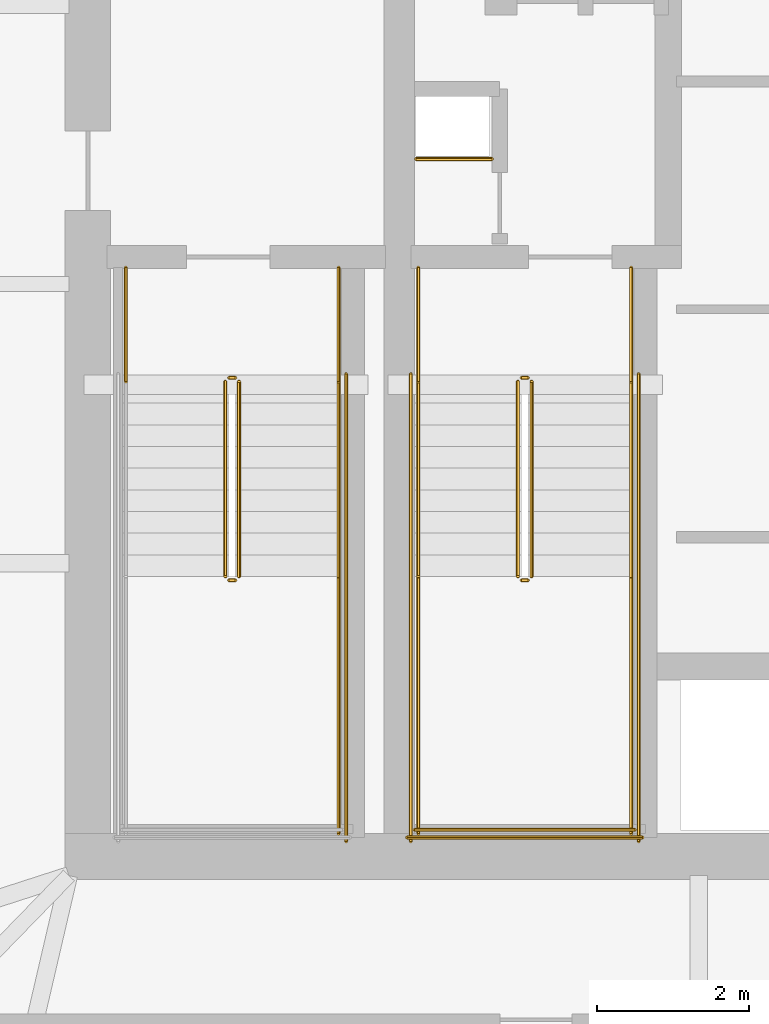
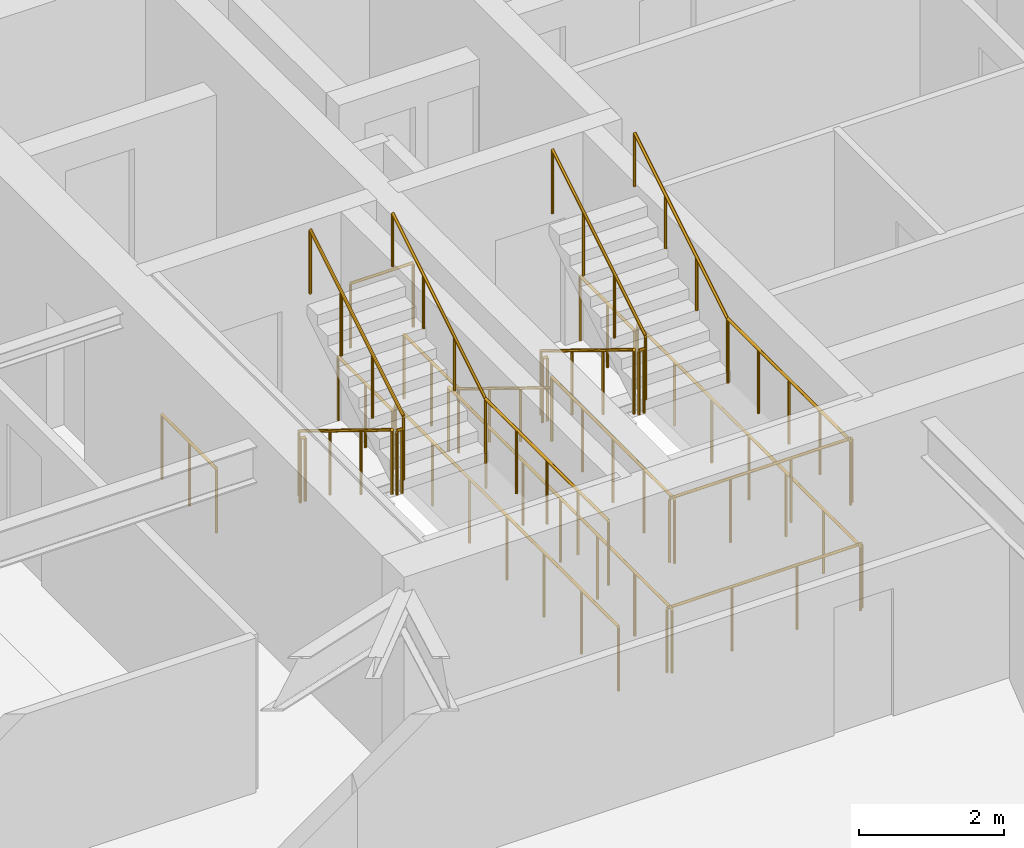
# One storey, part 17 of 19: 24 railings.
"""IFC4 building model written with IfcOpenShell, lengths in metres."""

from ifc_helpers import new_model, si_unit, direction, frame, origin, origin_2d, place, context, subcontext, project, spatial, circle, extrude, material, type_object, element, save


model = new_model("IFC4")

# Units and contexts
model_context = context("Model", 3, precision=1e-05, world=origin(), true_north=direction((0.0, 1.0)))
body_context = subcontext(model_context, "Body", "Model", "MODEL_VIEW")
ifc_project = project(units=[si_unit("LENGTHUNIT", "METRE"), si_unit("AREAUNIT", "SQUARE_METRE"), si_unit("VOLUMEUNIT", "CUBIC_METRE"), si_unit("PLANEANGLEUNIT", "RADIAN"), si_unit("MASSUNIT", "GRAM", prefix="KILO")], contexts=[model_context])

# Site, building, storey
site_placement = place(None, origin())
site = spatial("IfcSite", under=ifc_project, at=site_placement, CompositionType="ELEMENT")
building_placement = place(site_placement, origin())
building = spatial("IfcBuilding", under=site, at=building_placement, Name="Bramvorn Convention Spire", CompositionType="ELEMENT")
storey_placement = place(building_placement, frame((0.0, 0.0, 62.39990234375)))
storey = spatial("IfcBuildingStorey", under=building, at=storey_placement, Name="L13", CompositionType="ELEMENT", Elevation=62.39990234375)

# Railings
ifc_material_1 = material(Name="Painted Steel Balustrade & Guardrail", Category="steel")
railing_type_1 = type_object("IfcRailingType", Name="RL-STAIR-GUARD-1100", PredefinedType="GUARDRAIL", material=ifc_material_1)
railing_1_placement = place(storey_placement, frame((28.81005859375, 25.050048828125, 0.175048828125)))
element("IfcRailing", 1, at=railing_1_placement, inside=storey, type_object=railing_type_1, Name="L13 ST1 stair guard 1", PredefinedType="GUARDRAIL", context=body_context, shape_type="SweptSolid", body=[
    extrude(circle(Radius=0.02392578125, at=origin_2d()), frame((0.0, 0.0, 1.076171875), z_axis=(0.0, -0.852173129349, 0.523259933127), x_axis=(1.0, 0.0, 0.0)), (0.0, 0.0, 1.0), 3.009765625),
    extrude(circle(Radius=0.02099609375, at=origin_2d()), origin(), (0.0, 0.0, 1.0), 1.052001953125),
    extrude(circle(Radius=0.02099609375, at=origin_2d()), frame((0.0, -0.85498046875, 0.52490234375)), (0.0, 0.0, 1.0), 1.052001953125),
    extrude(circle(Radius=0.02099609375, at=origin_2d()), frame((0.0, -1.7099609375, 1.050048828125)), (0.0, 0.0, 1.0), 1.052001953125),
    extrude(circle(Radius=0.02099609375, at=origin_2d()), frame((0.0, -2.56494140625, 1.574951171875)), (0.0, 0.0, 1.0), 1.052001953125),
])
railing_2_placement = place(storey_placement, frame((28.860107421875, 22.43505859375, 1.75)))
element("IfcRailing", 2, at=railing_2_placement, inside=storey, type_object=railing_type_1, Name="L13 ST1 stair guard 2", PredefinedType="GUARDRAIL", context=body_context, shape_type="SweptSolid", body=[
    extrude(circle(Radius=0.02392578125, at=origin_2d()), frame((0.0, 0.0, 1.076171875), z_axis=(1.0, 0.0, 0.0), x_axis=(0.0, 1.0, 0.0)), (0.0, 0.0, 1.0), 0.079833984375),
    extrude(circle(Radius=0.02099609375, at=origin_2d()), origin(), (0.0, 0.0, 1.0), 1.052001953125),
    extrude(circle(Radius=0.02099609375, at=origin_2d()), frame((0.079833984375, 0.0, 0.0)), (0.0, 0.0, 1.0), 1.052001953125),
])
railing_3_placement = place(storey_placement, frame((30.300048828125, 22.485107421875, 1.75)))
element("IfcRailing", 3, at=railing_3_placement, inside=storey, type_object=railing_type_1, Name="L13 ST1 stair guard 4", PredefinedType="GUARDRAIL", context=body_context, shape_type="SweptSolid", body=[
    extrude(circle(Radius=0.02392578125, at=origin_2d()), frame((0.0, 0.0, 1.076171875), z_axis=(0.0, -1.0, 0.0), x_axis=(1.0, 0.0, 0.0)), (0.0, 0.0, 1.0), 3.385009765625),
    extrude(circle(Radius=0.02099609375, at=origin_2d()), origin(), (0.0, 0.0, 1.0), 1.052001953125),
    extrude(circle(Radius=0.02099609375, at=origin_2d()), frame((0.0, -0.84619140625, 0.0)), (0.0, 0.0, 1.0), 1.052001953125),
    extrude(circle(Radius=0.02099609375, at=origin_2d()), frame((0.0, -1.6923828125, 0.0)), (0.0, 0.0, 1.0), 1.052001953125),
    extrude(circle(Radius=0.02099609375, at=origin_2d()), frame((0.0, -2.538818359375, 0.0)), (0.0, 0.0, 1.0), 1.052001953125),
    extrude(circle(Radius=0.02099609375, at=origin_2d()), frame((0.0, -3.385009765625, 0.0)), (0.0, 0.0, 1.0), 1.052001953125),
])
railing_4_placement = place(storey_placement, frame((28.989990234375, 22.485107421875, 1.925048828125)))
element("IfcRailing", 4, at=railing_4_placement, inside=storey, type_object=railing_type_1, Name="L13 ST1 stair guard 6", PredefinedType="GUARDRAIL", context=body_context, shape_type="SweptSolid", body=[
    extrude(circle(Radius=0.02392578125, at=origin_2d()), frame((0.0, 0.0, 1.076171875), z_axis=(0.0, 0.852173129349, 0.523259933127), x_axis=(-1.0, 0.0, 0.0)), (0.0, 0.0, 1.0), 3.009765625),
    extrude(circle(Radius=0.02099609375, at=origin_2d()), origin(), (0.0, 0.0, 1.0), 1.052001953125),
    extrude(circle(Radius=0.02099609375, at=origin_2d()), frame((0.0, 0.85498046875, 0.52490234375)), (0.0, 0.0, 1.0), 1.052001953125),
    extrude(circle(Radius=0.02099609375, at=origin_2d()), frame((0.0, 1.7099609375, 1.050048828125)), (0.0, 0.0, 1.0), 1.052001953125),
    extrude(circle(Radius=0.02099609375, at=origin_2d()), frame((0.0, 2.56494140625, 1.574951171875)), (0.0, 0.0, 1.0), 1.052001953125),
])
railing_5_placement = place(storey_placement, frame((28.860107421875, 25.10009765625, 0.0)))
element("IfcRailing", 5, at=railing_5_placement, inside=storey, type_object=railing_type_1, Name="L13 ST1 stair guard 7", PredefinedType="GUARDRAIL", context=body_context, shape_type="SweptSolid", body=[
    extrude(circle(Radius=0.02392578125, at=origin_2d()), frame((0.0, 0.0, 1.076171875), z_axis=(1.0, 0.0, 0.0), x_axis=(0.0, 1.0, 0.0)), (0.0, 0.0, 1.0), 0.079833984375),
    extrude(circle(Radius=0.02099609375, at=origin_2d()), origin(), (0.0, 0.0, 1.0), 1.052001953125),
    extrude(circle(Radius=0.02099609375, at=origin_2d()), frame((0.079833984375, 0.0, 0.0)), (0.0, 0.0, 1.0), 1.052001953125),
])
for number, where, name in (
    (6, (27.5, 26.550048828125, 0.0), "L13 ST1 stair guard 8"),
    (7, (30.300048828125, 26.550048828125, 0.0), "L13 ST1 stair guard 9"),
):
    element("IfcRailing", number, at=place(storey_placement, frame(where)), inside=storey, type_object=railing_type_1, Name=name, PredefinedType="GUARDRAIL", context=body_context, shape_type="SweptSolid", body=[
        extrude(circle(Radius=0.02392578125, at=origin_2d()), frame((0.0, 0.0, 1.076171875), z_axis=(0.0, -1.0, 0.0), x_axis=(1.0, 0.0, 0.0)), (0.0, 0.0, 1.0), 1.5),
        extrude(circle(Radius=0.02099609375, at=origin_2d()), origin(), (0.0, 0.0, 1.0), 1.052001953125),
        extrude(circle(Radius=0.02099609375, at=origin_2d()), frame((0.0, -0.75, 0.0)), (0.0, 0.0, 1.0), 1.052001953125),
        extrude(circle(Radius=0.02099609375, at=origin_2d()), frame((0.0, -1.5, 0.0)), (0.0, 0.0, 1.0), 1.052001953125),
    ])
railing_6_placement = place(storey_placement, frame((30.39990234375, 25.14990234375, 0.0)))
element("IfcRailing", 8, at=railing_6_placement, inside=storey, type_object=railing_type_1, Name="L13 ST1 stair guard 11", PredefinedType="GUARDRAIL", context=body_context, shape_type="SweptSolid", body=[
    extrude(circle(Radius=0.02392578125, at=origin_2d()), frame((0.0, 0.0, 1.076171875), z_axis=(0.0, -1.0, 0.0), x_axis=(1.0, 0.0, 0.0)), (0.0, 0.0, 1.0), 6.14990234375),
    extrude(circle(Radius=0.02099609375, at=origin_2d()), origin(), (0.0, 0.0, 1.0), 1.052001953125),
    extrude(circle(Radius=0.02099609375, at=origin_2d()), frame((0.0, -1.02490234375, 0.0)), (0.0, 0.0, 1.0), 1.052001953125),
    extrude(circle(Radius=0.02099609375, at=origin_2d()), frame((0.0, -2.050048828125, 0.0)), (0.0, 0.0, 1.0), 1.052001953125),
    extrude(circle(Radius=0.02099609375, at=origin_2d()), frame((0.0, -3.074951171875, 0.0)), (0.0, 0.0, 1.0), 1.052001953125),
    extrude(circle(Radius=0.02099609375, at=origin_2d()), frame((0.0, -4.099853515625, 0.0)), (0.0, 0.0, 1.0), 1.052001953125),
    extrude(circle(Radius=0.02099609375, at=origin_2d()), frame((0.0, -5.125, 0.0)), (0.0, 0.0, 1.0), 1.052001953125),
    extrude(circle(Radius=0.02099609375, at=origin_2d()), frame((0.0, -6.14990234375, 0.0)), (0.0, 0.0, 1.0), 1.052001953125),
])
railing_7_placement = place(storey_placement, frame((32.659912109375, 25.050048828125, 0.175048828125)))
element("IfcRailing", 9, at=railing_7_placement, inside=storey, type_object=railing_type_1, Name="L13 ST3 stair guard 1", PredefinedType="GUARDRAIL", context=body_context, shape_type="SweptSolid", body=[
    extrude(circle(Radius=0.02392578125, at=origin_2d()), frame((0.0, 0.0, 1.076171875), z_axis=(0.0, -0.852173129349, 0.523259933127), x_axis=(1.0, 0.0, 0.0)), (0.0, 0.0, 1.0), 3.009765625),
    extrude(circle(Radius=0.02099609375, at=origin_2d()), origin(), (0.0, 0.0, 1.0), 1.052001953125),
    extrude(circle(Radius=0.02099609375, at=origin_2d()), frame((0.0, -0.85498046875, 0.52490234375)), (0.0, 0.0, 1.0), 1.052001953125),
    extrude(circle(Radius=0.02099609375, at=origin_2d()), frame((0.0, -1.7099609375, 1.050048828125)), (0.0, 0.0, 1.0), 1.052001953125),
    extrude(circle(Radius=0.02099609375, at=origin_2d()), frame((0.0, -2.56494140625, 1.574951171875)), (0.0, 0.0, 1.0), 1.052001953125),
])
railing_8_placement = place(storey_placement, frame((32.7099609375, 22.43505859375, 1.75)))
element("IfcRailing", 10, at=railing_8_placement, inside=storey, type_object=railing_type_1, Name="L13 ST3 stair guard 2", PredefinedType="GUARDRAIL", context=body_context, shape_type="SweptSolid", body=[
    extrude(circle(Radius=0.02392578125, at=origin_2d()), frame((0.0, 0.0, 1.076171875), z_axis=(1.0, 0.0, 0.0), x_axis=(0.0, 1.0, 0.0)), (0.0, 0.0, 1.0), 0.080078125),
    extrude(circle(Radius=0.02099609375, at=origin_2d()), origin(), (0.0, 0.0, 1.0), 1.052001953125),
    extrude(circle(Radius=0.02099609375, at=origin_2d()), frame((0.080078125, 0.0, 0.0)), (0.0, 0.0, 1.0), 1.052001953125),
])
for number, where, name in (
    (11, (31.35009765625, 22.485107421875, 1.75), "L13 ST3 stair guard 3"),
    (12, (34.14990234375, 22.485107421875, 1.75), "L13 ST3 stair guard 4"),
):
    element("IfcRailing", number, at=place(storey_placement, frame(where)), inside=storey, type_object=railing_type_1, Name=name, PredefinedType="GUARDRAIL", context=body_context, shape_type="SweptSolid", body=[
        extrude(circle(Radius=0.02392578125, at=origin_2d()), frame((0.0, 0.0, 1.076171875), z_axis=(0.0, -1.0, 0.0), x_axis=(1.0, 0.0, 0.0)), (0.0, 0.0, 1.0), 3.385009765625),
        extrude(circle(Radius=0.02099609375, at=origin_2d()), origin(), (0.0, 0.0, 1.0), 1.052001953125),
        extrude(circle(Radius=0.02099609375, at=origin_2d()), frame((0.0, -0.84619140625, 0.0)), (0.0, 0.0, 1.0), 1.052001953125),
        extrude(circle(Radius=0.02099609375, at=origin_2d()), frame((0.0, -1.6923828125, 0.0)), (0.0, 0.0, 1.0), 1.052001953125),
        extrude(circle(Radius=0.02099609375, at=origin_2d()), frame((0.0, -2.538818359375, 0.0)), (0.0, 0.0, 1.0), 1.052001953125),
        extrude(circle(Radius=0.02099609375, at=origin_2d()), frame((0.0, -3.385009765625, 0.0)), (0.0, 0.0, 1.0), 1.052001953125),
    ])
railing_9_placement = place(storey_placement, frame((31.300048828125, 19.14990234375, 1.75)))
element("IfcRailing", 13, at=railing_9_placement, inside=storey, type_object=railing_type_1, Name="L13 ST3 stair guard 5", PredefinedType="GUARDRAIL", context=body_context, shape_type="SweptSolid", body=[
    extrude(circle(Radius=0.02392578125, at=origin_2d()), frame((0.0, 0.0, 1.076171875), z_axis=(1.0, 0.0, 0.0), x_axis=(0.0, 1.0, 0.0)), (0.0, 0.0, 1.0), 2.89990234375),
    extrude(circle(Radius=0.02099609375, at=origin_2d()), origin(), (0.0, 0.0, 1.0), 1.052001953125),
    extrude(circle(Radius=0.02099609375, at=origin_2d()), frame((0.966552734375, 0.0, 0.0)), (0.0, 0.0, 1.0), 1.052001953125),
    extrude(circle(Radius=0.02099609375, at=origin_2d()), frame((1.933349609375, 0.0, 0.0)), (0.0, 0.0, 1.0), 1.052001953125),
    extrude(circle(Radius=0.02099609375, at=origin_2d()), frame((2.89990234375, 0.0, 0.0)), (0.0, 0.0, 1.0), 1.052001953125),
])
railing_10_placement = place(storey_placement, frame((32.840087890625, 22.485107421875, 1.925048828125)))
element("IfcRailing", 14, at=railing_10_placement, inside=storey, type_object=railing_type_1, Name="L13 ST3 stair guard 6", PredefinedType="GUARDRAIL", context=body_context, shape_type="SweptSolid", body=[
    extrude(circle(Radius=0.02392578125, at=origin_2d()), frame((0.0, 0.0, 1.076171875), z_axis=(0.0, 0.852173129349, 0.523259933127), x_axis=(-1.0, 0.0, 0.0)), (0.0, 0.0, 1.0), 3.009765625),
    extrude(circle(Radius=0.02099609375, at=origin_2d()), origin(), (0.0, 0.0, 1.0), 1.052001953125),
    extrude(circle(Radius=0.02099609375, at=origin_2d()), frame((0.0, 0.85498046875, 0.52490234375)), (0.0, 0.0, 1.0), 1.052001953125),
    extrude(circle(Radius=0.02099609375, at=origin_2d()), frame((0.0, 1.7099609375, 1.050048828125)), (0.0, 0.0, 1.0), 1.052001953125),
    extrude(circle(Radius=0.02099609375, at=origin_2d()), frame((0.0, 2.56494140625, 1.574951171875)), (0.0, 0.0, 1.0), 1.052001953125),
])
railing_11_placement = place(storey_placement, frame((32.7099609375, 25.10009765625, 0.0)))
element("IfcRailing", 15, at=railing_11_placement, inside=storey, type_object=railing_type_1, Name="L13 ST3 stair guard 7", PredefinedType="GUARDRAIL", context=body_context, shape_type="SweptSolid", body=[
    extrude(circle(Radius=0.02392578125, at=origin_2d()), frame((0.0, 0.0, 1.076171875), z_axis=(1.0, 0.0, 0.0), x_axis=(0.0, 1.0, 0.0)), (0.0, 0.0, 1.0), 0.080078125),
    extrude(circle(Radius=0.02099609375, at=origin_2d()), origin(), (0.0, 0.0, 1.0), 1.052001953125),
    extrude(circle(Radius=0.02099609375, at=origin_2d()), frame((0.080078125, 0.0, 0.0)), (0.0, 0.0, 1.0), 1.052001953125),
])
for number, where, name in (
    (16, (31.35009765625, 26.550048828125, 0.0), "L13 ST3 stair guard 8"),
    (17, (34.14990234375, 26.550048828125, 0.0), "L13 ST3 stair guard 9"),
):
    element("IfcRailing", number, at=place(storey_placement, frame(where)), inside=storey, type_object=railing_type_1, Name=name, PredefinedType="GUARDRAIL", context=body_context, shape_type="SweptSolid", body=[
        extrude(circle(Radius=0.02392578125, at=origin_2d()), frame((0.0, 0.0, 1.076171875), z_axis=(0.0, -1.0, 0.0), x_axis=(1.0, 0.0, 0.0)), (0.0, 0.0, 1.0), 1.5),
        extrude(circle(Radius=0.02099609375, at=origin_2d()), origin(), (0.0, 0.0, 1.0), 1.052001953125),
        extrude(circle(Radius=0.02099609375, at=origin_2d()), frame((0.0, -0.75, 0.0)), (0.0, 0.0, 1.0), 1.052001953125),
        extrude(circle(Radius=0.02099609375, at=origin_2d()), frame((0.0, -1.5, 0.0)), (0.0, 0.0, 1.0), 1.052001953125),
    ])
for number, where, name in (
    (18, (31.25, 25.14990234375, 0.0), "L13 ST3 stair guard 10"),
    (19, (34.25, 25.14990234375, 0.0), "L13 ST3 stair guard 11"),
):
    element("IfcRailing", number, at=place(storey_placement, frame(where)), inside=storey, type_object=railing_type_1, Name=name, PredefinedType="GUARDRAIL", context=body_context, shape_type="SweptSolid", body=[
        extrude(circle(Radius=0.02392578125, at=origin_2d()), frame((0.0, 0.0, 1.076171875), z_axis=(0.0, -1.0, 0.0), x_axis=(1.0, 0.0, 0.0)), (0.0, 0.0, 1.0), 6.14990234375),
        extrude(circle(Radius=0.02099609375, at=origin_2d()), origin(), (0.0, 0.0, 1.0), 1.052001953125),
        extrude(circle(Radius=0.02099609375, at=origin_2d()), frame((0.0, -1.02490234375, 0.0)), (0.0, 0.0, 1.0), 1.052001953125),
        extrude(circle(Radius=0.02099609375, at=origin_2d()), frame((0.0, -2.050048828125, 0.0)), (0.0, 0.0, 1.0), 1.052001953125),
        extrude(circle(Radius=0.02099609375, at=origin_2d()), frame((0.0, -3.074951171875, 0.0)), (0.0, 0.0, 1.0), 1.052001953125),
        extrude(circle(Radius=0.02099609375, at=origin_2d()), frame((0.0, -4.099853515625, 0.0)), (0.0, 0.0, 1.0), 1.052001953125),
        extrude(circle(Radius=0.02099609375, at=origin_2d()), frame((0.0, -5.125, 0.0)), (0.0, 0.0, 1.0), 1.052001953125),
        extrude(circle(Radius=0.02099609375, at=origin_2d()), frame((0.0, -6.14990234375, 0.0)), (0.0, 0.0, 1.0), 1.052001953125),
    ])
railing_12_placement = place(storey_placement, frame((31.199951171875, 19.050048828125, 0.0)))
element("IfcRailing", 20, at=railing_12_placement, inside=storey, type_object=railing_type_1, Name="L13 ST3 stair guard 12", PredefinedType="GUARDRAIL", context=body_context, shape_type="SweptSolid", body=[
    extrude(circle(Radius=0.02392578125, at=origin_2d()), frame((0.0, 0.0, 1.076171875), z_axis=(1.0, 0.0, 0.0), x_axis=(0.0, 1.0, 0.0)), (0.0, 0.0, 1.0), 3.10009765625),
    extrude(circle(Radius=0.02099609375, at=origin_2d()), origin(), (0.0, 0.0, 1.0), 1.052001953125),
    extrude(circle(Radius=0.02099609375, at=origin_2d()), frame((1.033447265625, 0.0, 0.0)), (0.0, 0.0, 1.0), 1.052001953125),
    extrude(circle(Radius=0.02099609375, at=origin_2d()), frame((2.066650390625, 0.0, 0.0)), (0.0, 0.0, 1.0), 1.052001953125),
    extrude(circle(Radius=0.02099609375, at=origin_2d()), frame((3.10009765625, 0.0, 0.0)), (0.0, 0.0, 1.0), 1.052001953125),
])
railing_13_placement = place(storey_placement, frame((31.320068359375, 27.97998046875, 0.0)))
element("IfcRailing", 21, at=railing_13_placement, inside=storey, type_object=railing_type_1, Name="L13 Telecom riser shaft opening safety guardrail", PredefinedType="GUARDRAIL", context=body_context, shape_type="SweptSolid", body=[
    extrude(circle(Radius=0.02392578125, at=origin_2d()), frame((0.0, 0.0, 1.076171875), z_axis=(1.0, 0.0, 0.0), x_axis=(0.0, 1.0, 0.0)), (0.0, 0.0, 1.0), 1.0),
    extrude(circle(Radius=0.02099609375, at=origin_2d()), origin(), (0.0, 0.0, 1.0), 1.052001953125),
    extrude(circle(Radius=0.02099609375, at=origin_2d()), frame((1.0, 0.0, 0.0)), (0.0, 0.0, 1.0), 1.052001953125),
])
ifc_material_2 = material(Name="Brushed Bronze Tubular Handrail", Category="aluminium")
railing_type_2 = type_object("IfcRailingType", Name="RL-STAIR-HR-920", PredefinedType="HANDRAIL", material=ifc_material_2)
railing_14_placement = place(storey_placement, frame((30.300048828125, 22.485107421875, 1.925048828125)))
element("IfcRailing", 22, at=railing_14_placement, inside=storey, type_object=railing_type_2, Name="L13 ST1 stair handrail 2", PredefinedType="HANDRAIL", context=body_context, shape_type="SweptSolid", body=[
    extrude(circle(Radius=0.02392578125, at=origin_2d()), frame((0.0, 0.0, 0.89599609375), z_axis=(0.0, 0.852173129349, 0.523259933127), x_axis=(-1.0, 0.0, 0.0)), (0.0, 0.0, 1.0), 3.009765625),
    extrude(circle(Radius=0.02099609375, at=origin_2d()), origin(), (0.0, 0.0, 1.0), 0.871826171875),
    extrude(circle(Radius=0.02099609375, at=origin_2d()), frame((0.0, 0.85498046875, 0.52490234375)), (0.0, 0.0, 1.0), 0.871826171875),
    extrude(circle(Radius=0.02099609375, at=origin_2d()), frame((0.0, 1.7099609375, 1.050048828125)), (0.0, 0.0, 1.0), 0.871826171875),
    extrude(circle(Radius=0.02099609375, at=origin_2d()), frame((0.0, 2.56494140625, 1.574951171875)), (0.0, 0.0, 1.0), 0.871826171875),
])
railing_15_placement = place(storey_placement, frame((31.35009765625, 25.050048828125, 0.175048828125)))
element("IfcRailing", 23, at=railing_15_placement, inside=storey, type_object=railing_type_2, Name="L13 ST3 stair handrail 1", PredefinedType="HANDRAIL", context=body_context, shape_type="SweptSolid", body=[
    extrude(circle(Radius=0.02392578125, at=origin_2d()), frame((0.0, 0.0, 0.89599609375), z_axis=(0.0, -0.852173129349, 0.523259933127), x_axis=(1.0, 0.0, 0.0)), (0.0, 0.0, 1.0), 3.009765625),
    extrude(circle(Radius=0.02099609375, at=origin_2d()), origin(), (0.0, 0.0, 1.0), 0.871826171875),
    extrude(circle(Radius=0.02099609375, at=origin_2d()), frame((0.0, -0.85498046875, 0.52490234375)), (0.0, 0.0, 1.0), 0.871826171875),
    extrude(circle(Radius=0.02099609375, at=origin_2d()), frame((0.0, -1.7099609375, 1.050048828125)), (0.0, 0.0, 1.0), 0.871826171875),
    extrude(circle(Radius=0.02099609375, at=origin_2d()), frame((0.0, -2.56494140625, 1.574951171875)), (0.0, 0.0, 1.0), 0.871826171875),
])
railing_16_placement = place(storey_placement, frame((34.14990234375, 22.485107421875, 1.925048828125)))
element("IfcRailing", 24, at=railing_16_placement, inside=storey, type_object=railing_type_2, Name="L13 ST3 stair handrail 2", PredefinedType="HANDRAIL", context=body_context, shape_type="SweptSolid", body=[
    extrude(circle(Radius=0.02392578125, at=origin_2d()), frame((0.0, 0.0, 0.89599609375), z_axis=(0.0, 0.852173129349, 0.523259933127), x_axis=(-1.0, 0.0, 0.0)), (0.0, 0.0, 1.0), 3.009765625),
    extrude(circle(Radius=0.02099609375, at=origin_2d()), origin(), (0.0, 0.0, 1.0), 0.871826171875),
    extrude(circle(Radius=0.02099609375, at=origin_2d()), frame((0.0, 0.85498046875, 0.52490234375)), (0.0, 0.0, 1.0), 0.871826171875),
    extrude(circle(Radius=0.02099609375, at=origin_2d()), frame((0.0, 1.7099609375, 1.050048828125)), (0.0, 0.0, 1.0), 0.871826171875),
    extrude(circle(Radius=0.02099609375, at=origin_2d()), frame((0.0, 2.56494140625, 1.574951171875)), (0.0, 0.0, 1.0), 0.871826171875),
])

save(model, "model.ifc")
